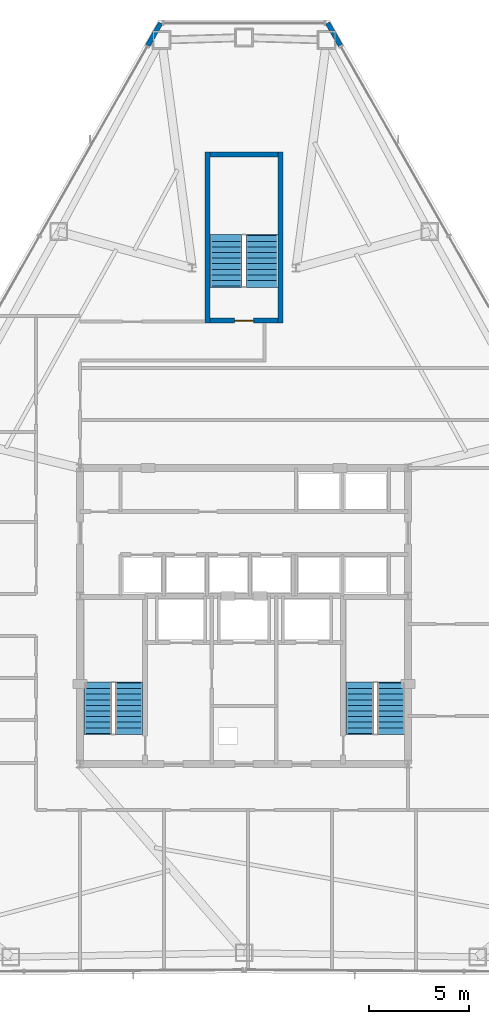
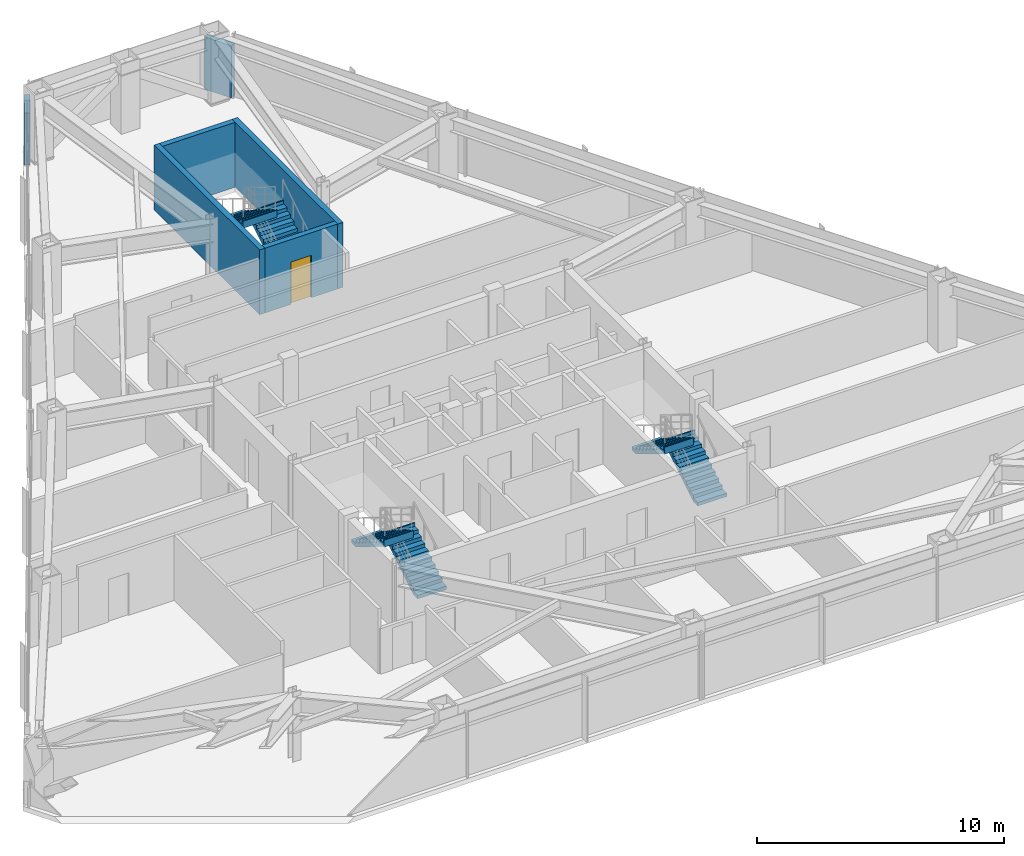
# One storey, part 12 of 13: 6 stair flights, 6 walls, 1 door, 1 opening, 3 elements without a shape of their own.
"""IFC4 building model written with IfcOpenShell, lengths in metres."""

from ifc_helpers import new_model, si_unit, direction, frame, frame_2d, origin, place, context, subcontext, project, spatial, polyline, rectangle, outline, extrude, material, layer, layer_set, type_object, element, fill, aggregate, save


model = new_model("IFC4")

# Units and contexts
model_context = context("Model", 3, precision=1e-05, world=origin(), true_north=direction((0.0, 1.0)))
body_context = subcontext(model_context, "Body", "Model", "MODEL_VIEW")
ifc_project = project(units=[si_unit("LENGTHUNIT", "METRE"), si_unit("AREAUNIT", "SQUARE_METRE"), si_unit("VOLUMEUNIT", "CUBIC_METRE"), si_unit("PLANEANGLEUNIT", "RADIAN"), si_unit("MASSUNIT", "GRAM", prefix="KILO")], contexts=[model_context])

# Site, building, storey
site_placement = place(None, origin())
site = spatial("IfcSite", under=ifc_project, at=site_placement, CompositionType="ELEMENT")
building_placement = place(site_placement, origin())
building = spatial("IfcBuilding", under=site, at=building_placement, Name="Varakhsha Concourse Tower", CompositionType="ELEMENT")
storey_placement = place(building_placement, frame((0.0, 0.0, 133.25)))
storey = spatial("IfcBuildingStorey", under=building, at=storey_placement, Name="L38", CompositionType="ELEMENT", Elevation=133.25)

# Walls
ifc_material_1 = material(Name="Concrete fc 45 MPa", Category="concrete")
ifc_layer_1 = layer(ifc_material_1, 0.239990234375, Name="WL-EXT-CRN-240")
ifc_layer_set_1 = layer_set([ifc_layer_1], Name="Concrete fc 45 MPa")
wall_type_1 = type_object("IfcWallType", Name="WL-EXT-CRN-240", PredefinedType="SHEAR", material=ifc_layer_set_1)
for number, where, z_axis, x_axis, name in (
    (1, (35.82568359375, 53.44873046875, 0.0), (0.0, 0.0, 1.0), (-0.494070823743, -0.869421658993, 0.0), "L38 Wind-Corner Shoulder Wall F2"),
    (2, (44.8154296875, 52.320556640625, 0.0), (0.0, 0.0, 1.0), (-0.494070823743, 0.869421658993, 0.0), "L38 Wind-Corner Shoulder Wall F9"),
):
    element("IfcWall", number, at=place(storey_placement, frame(where, z_axis=z_axis, x_axis=x_axis)), inside=storey, type_object=wall_type_1, Name=name, PredefinedType="SHEAR", context=body_context, shape_type="SweptSolid", body=[
        extrude(rectangle(XDim=1.297607421875, YDim=0.239990234375, at=frame_2d((0.64892578125, 0.0))), origin(), (0.0, 0.0, 1.0), 2.5830078125),
    ])
ifc_layer_2 = layer(ifc_material_1, 0.25, Name="WL-STAIR-250")
ifc_layer_set_2 = layer_set([ifc_layer_2], Name="Concrete fc 45 MPa")
wall_type_2 = type_object("IfcWallType", Name="WL-STAIR-250", PredefinedType="SHEAR", material=ifc_layer_set_2)
for number, where, z_axis, x_axis, name in (
    (3, (38.175048828125, 38.449951171875, 0.0), (0.0, 0.0, 1.0), (0.0, 1.0, 0.0), "L38 Wall SWALL-ST5-W-L38"),
    (4, (41.824951171875, 38.449951171875, 0.0), (0.0, 0.0, 1.0), (0.0, 1.0, 0.0), "L38 Wall SWALL-ST5-E-L38"),
):
    element("IfcWall", number, at=place(storey_placement, frame(where, z_axis=z_axis, x_axis=x_axis)), inside=storey, type_object=wall_type_2, Name=name, PredefinedType="SHEAR", context=body_context, shape_type="SweptSolid", body=[
        extrude(rectangle(XDim=8.550048828125, YDim=0.25, at=frame_2d((4.27490234375, 0.0))), origin(), (0.0, 0.0, 1.0), 3.2099609375),
    ])

# Wall, opening, door
wall_1_placement = place(storey_placement, frame((38.300048828125, 38.574951171875, 0.0), z_axis=(0.0, 0.0, 1.0), x_axis=(1.0, 0.0, 0.0)))
wall_1 = element("IfcWall", 5, at=wall_1_placement, inside=storey, type_object=wall_type_2, Name="L38 Wall SWALL-ST5-S-L38", PredefinedType="SHEAR", context=body_context, shape_type="SweptSolid", body=[
    extrude(rectangle(XDim=3.39990234375, YDim=0.25, at=frame_2d((1.699951171875, 0.0))), origin(), (0.0, 0.0, 1.0), 3.2099609375),
])
opening_placement = place(wall_1_placement, frame((1.22509765625, 0.0, 0.0)))
opening = element("IfcOpeningElement", 6, at=opening_placement, cuts=wall_1, Name="Opening DF-03", PredefinedType="OPENING", context=body_context, shape_type="SweptSolid", body=[
    extrude(rectangle(XDim=0.949951171875, YDim=2.10009765625, at=frame_2d((0.47509765625, 1.050048828125))), frame((0.0, 0.135009765625, 0.0), z_axis=(0.0, -1.0, 0.0), x_axis=(1.0, 0.0, 0.0)), (0.0, 0.0, 1.0), 0.27001953125),
])
ifc_material_2 = material(Name="Hollow Galvanised Steel Fire Door Assembly", Category="steel")
door_type = type_object("IfcDoorType", Name="DR-FD90-950", OperationType="NOTDEFINED", PredefinedType="DOOR", material=ifc_material_2)
door_placement = place(opening_placement, origin())
door = element("IfcDoor", 7, at=door_placement, inside=storey, type_object=door_type, Name="L38 Stair ST5 Fire Door", OperationType="SINGLE_SWING_RIGHT", OverallHeight=2.10009765625, OverallWidth=0.949951171875, PredefinedType="DOOR", context=body_context, shape_type="SweptSolid", body=[
    extrude(rectangle(XDim=0.949951171875, YDim=2.10009765625, at=frame_2d((0.47509765625, 1.050048828125))), frame((0.0, 0.02490234375, 0.0), z_axis=(0.0, -1.0, 0.0), x_axis=(1.0, 0.0, 0.0)), (0.0, 0.0, 1.0), 0.050048828125),
])
fill(opening, door)

# Wall
wall_2_placement = place(storey_placement, frame((38.300048828125, 46.875, 0.0), z_axis=(0.0, 0.0, 1.0), x_axis=(1.0, 0.0, 0.0)))
element("IfcWall", 8, at=wall_2_placement, inside=storey, type_object=wall_type_2, Name="L38 Wall SWALL-ST5-N-L38", PredefinedType="SHEAR", context=body_context, shape_type="SweptSolid", body=[
    extrude(rectangle(XDim=3.39990234375, YDim=0.25, at=frame_2d((1.699951171875, 0.0))), origin(), (0.0, 0.0, 1.0), 3.2099609375),
])

# Stair, stair flights
stair_type_1 = type_object("IfcStairType", Name="ST-DOGLEG-1360", PredefinedType="HALF_TURN_STAIR", material=ifc_material_1)
stair_1_placement = place(storey_placement, origin())
stair_1 = element("IfcStair", 9, at=stair_1_placement, inside=storey, type_object=stair_type_1, Name="L38 Protected Exit Stair ST1", PredefinedType="HALF_TURN_STAIR")
stair_flight_type_1 = type_object("IfcStairFlightType", Name="STF-1360-R1725", PredefinedType="STRAIGHT", material=ifc_material_1)
stair_flight_1_placement = place(storey_placement, frame((34.239990234375, 17.93994140625, 0.0), z_axis=(0.0, 0.0, 1.0), x_axis=(0.0, 1.0, 0.0)))
stair_flight_1 = element("IfcStairFlight", 10, at=stair_flight_1_placement, type_object=stair_flight_type_1, Name="ST1 flight 1", NumberOfRisers=10, NumberOfTreads=9, PredefinedType="STRAIGHT", RiserHeight=0.1725, TreadLength=0.28, context=body_context, shape_type="SweptSolid", body=[
    extrude(outline(polyline([(-0.06005859375, 0.0), (-0.06005859375, 0.172607421875), (0.0, 0.172607421875), (0.280029296875, 0.172607421875), (0.280029296875, 0.344970703125), (0.56005859375, 0.344970703125), (0.56005859375, 0.517578125), (0.840087890625, 0.517578125), (0.840087890625, 0.68994140625), (1.1201171875, 0.68994140625), (1.1201171875, 0.862548828125), (1.39990234375, 0.862548828125), (1.39990234375, 1.034912109375), (1.679931640625, 1.034912109375), (1.679931640625, 1.20751953125), (1.9599609375, 1.20751953125), (1.9599609375, 1.3798828125), (2.239990234375, 1.3798828125), (2.239990234375, 1.552490234375), (2.52001953125, 1.552490234375), (2.52001953125, 1.72509765625), (2.580078125, 1.72509765625), (2.580078125, 1.37646484375), (2.52001953125, 1.37646484375), (0.285888671875, 0.0), (-0.06005859375, 0.0)])), frame((0.0, 0.68017578125, 0.0), z_axis=(0.0, -1.0, 0.0), x_axis=(1.0, 0.0, 0.0)), (0.0, 0.0, 1.0), 1.360107421875),
])
stair_flight_2_placement = place(storey_placement, frame((32.679931640625, 20.4599609375, 1.72509765625), z_axis=(0.0, 0.0, 1.0), x_axis=(0.0, -1.0, 0.0)))
stair_flight_2 = element("IfcStairFlight", 11, at=stair_flight_2_placement, type_object=stair_flight_type_1, Name="ST1 flight 2", NumberOfRisers=10, NumberOfTreads=9, PredefinedType="STRAIGHT", RiserHeight=0.1725, TreadLength=0.28, context=body_context, shape_type="SweptSolid", body=[
    extrude(outline(polyline([(-0.06005859375, 0.0), (-0.06005859375, 0.172607421875), (0.0, 0.172607421875), (0.280029296875, 0.172607421875), (0.280029296875, 0.344970703125), (0.56005859375, 0.344970703125), (0.56005859375, 0.517578125), (0.840087890625, 0.517578125), (0.840087890625, 0.68994140625), (1.1201171875, 0.68994140625), (1.1201171875, 0.862548828125), (1.39990234375, 0.862548828125), (1.39990234375, 1.034912109375), (1.679931640625, 1.034912109375), (1.679931640625, 1.20751953125), (1.9599609375, 1.20751953125), (1.9599609375, 1.3798828125), (2.239990234375, 1.3798828125), (2.239990234375, 1.552490234375), (2.52001953125, 1.552490234375), (2.52001953125, 1.72509765625), (2.580078125, 1.72509765625), (2.580078125, 1.37646484375), (2.52001953125, 1.37646484375), (0.285888671875, 0.0), (-0.06005859375, 0.0)])), frame((0.0, 0.68017578125, 0.0), z_axis=(0.0, -1.0, 0.0), x_axis=(1.0, 0.0, 0.0)), (0.0, 0.0, 1.0), 1.360107421875),
])
aggregate(stair_1, [stair_flight_1, stair_flight_2])

stair_2_placement = place(storey_placement, origin())
stair_2 = element("IfcStair", 12, at=stair_2_placement, inside=storey, type_object=stair_type_1, Name="L38 Protected Exit Stair ST2", PredefinedType="HALF_TURN_STAIR")
stair_flight_3_placement = place(storey_placement, frame((47.340087890625, 17.93994140625, 0.0), z_axis=(0.0, 0.0, 1.0), x_axis=(0.0, 1.0, 0.0)))
stair_flight_3 = element("IfcStairFlight", 13, at=stair_flight_3_placement, type_object=stair_flight_type_1, Name="ST2 flight 1", NumberOfRisers=10, NumberOfTreads=9, PredefinedType="STRAIGHT", RiserHeight=0.1725, TreadLength=0.28, context=body_context, shape_type="SweptSolid", body=[
    extrude(outline(polyline([(-0.06005859375, 0.0), (-0.06005859375, 0.172607421875), (0.0, 0.172607421875), (0.280029296875, 0.172607421875), (0.280029296875, 0.344970703125), (0.56005859375, 0.344970703125), (0.56005859375, 0.517578125), (0.840087890625, 0.517578125), (0.840087890625, 0.68994140625), (1.1201171875, 0.68994140625), (1.1201171875, 0.862548828125), (1.39990234375, 0.862548828125), (1.39990234375, 1.034912109375), (1.679931640625, 1.034912109375), (1.679931640625, 1.20751953125), (1.9599609375, 1.20751953125), (1.9599609375, 1.3798828125), (2.239990234375, 1.3798828125), (2.239990234375, 1.552490234375), (2.52001953125, 1.552490234375), (2.52001953125, 1.72509765625), (2.580078125, 1.72509765625), (2.580078125, 1.37646484375), (2.52001953125, 1.37646484375), (0.285888671875, 0.0), (-0.06005859375, 0.0)])), frame((0.0, 0.68017578125, 0.0), z_axis=(0.0, -1.0, 0.0), x_axis=(1.0, 0.0, 0.0)), (0.0, 0.0, 1.0), 1.360107421875),
])
stair_flight_4_placement = place(storey_placement, frame((45.780029296875, 20.4599609375, 1.72509765625), z_axis=(0.0, 0.0, 1.0), x_axis=(0.0, -1.0, 0.0)))
stair_flight_4 = element("IfcStairFlight", 14, at=stair_flight_4_placement, type_object=stair_flight_type_1, Name="ST2 flight 2", NumberOfRisers=10, NumberOfTreads=9, PredefinedType="STRAIGHT", RiserHeight=0.1725, TreadLength=0.28, context=body_context, shape_type="SweptSolid", body=[
    extrude(outline(polyline([(-0.06005859375, 0.0), (-0.06005859375, 0.172607421875), (0.0, 0.172607421875), (0.280029296875, 0.172607421875), (0.280029296875, 0.344970703125), (0.56005859375, 0.344970703125), (0.56005859375, 0.517578125), (0.840087890625, 0.517578125), (0.840087890625, 0.68994140625), (1.1201171875, 0.68994140625), (1.1201171875, 0.862548828125), (1.39990234375, 0.862548828125), (1.39990234375, 1.034912109375), (1.679931640625, 1.034912109375), (1.679931640625, 1.20751953125), (1.9599609375, 1.20751953125), (1.9599609375, 1.3798828125), (2.239990234375, 1.3798828125), (2.239990234375, 1.552490234375), (2.52001953125, 1.552490234375), (2.52001953125, 1.72509765625), (2.580078125, 1.72509765625), (2.580078125, 1.37646484375), (2.52001953125, 1.37646484375), (0.285888671875, 0.0), (-0.06005859375, 0.0)])), frame((0.0, 0.68017578125, 0.0), z_axis=(0.0, -1.0, 0.0), x_axis=(1.0, 0.0, 0.0)), (0.0, 0.0, 1.0), 1.360107421875),
])
aggregate(stair_2, [stair_flight_3, stair_flight_4])

stair_type_2 = type_object("IfcStairType", Name="ST-DOGLEG-1600", PredefinedType="HALF_TURN_STAIR", material=ifc_material_1)
stair_3_placement = place(storey_placement, origin())
stair_3 = element("IfcStair", 15, at=stair_3_placement, inside=storey, type_object=stair_type_2, Name="L38 Protected Exit Stair ST5", PredefinedType="HALF_TURN_STAIR")
stair_flight_type_2 = type_object("IfcStairFlightType", Name="STF-1600-R1725", PredefinedType="STRAIGHT", material=ifc_material_1)
stair_flight_5_placement = place(storey_placement, frame((40.89990234375, 40.300048828125, 0.0), z_axis=(0.0, 0.0, 1.0), x_axis=(0.0, 1.0, 0.0)))
stair_flight_5 = element("IfcStairFlight", 16, at=stair_flight_5_placement, type_object=stair_flight_type_2, Name="ST5 flight 1", NumberOfRisers=10, NumberOfTreads=9, PredefinedType="STRAIGHT", RiserHeight=0.1725, TreadLength=0.28, context=body_context, shape_type="SweptSolid", body=[
    extrude(outline(polyline([(-0.06005859375, 0.0), (-0.06005859375, 0.172607421875), (0.0, 0.172607421875), (0.280029296875, 0.172607421875), (0.280029296875, 0.344970703125), (0.56005859375, 0.344970703125), (0.56005859375, 0.517578125), (0.840087890625, 0.517578125), (0.840087890625, 0.68994140625), (1.1201171875, 0.68994140625), (1.1201171875, 0.862548828125), (1.39990234375, 0.862548828125), (1.39990234375, 1.034912109375), (1.679931640625, 1.034912109375), (1.679931640625, 1.20751953125), (1.9599609375, 1.20751953125), (1.9599609375, 1.3798828125), (2.239990234375, 1.3798828125), (2.239990234375, 1.552490234375), (2.52001953125, 1.552490234375), (2.52001953125, 1.72509765625), (2.580078125, 1.72509765625), (2.580078125, 1.37646484375), (2.52001953125, 1.37646484375), (0.285888671875, 0.0), (-0.06005859375, 0.0)])), frame((0.0, 0.800048828125, 0.0), z_axis=(0.0, -1.0, 0.0), x_axis=(1.0, 0.0, 0.0)), (0.0, 0.0, 1.0), 1.60009765625),
])
stair_flight_6_placement = place(storey_placement, frame((39.10009765625, 42.820068359375, 1.72509765625), z_axis=(0.0, 0.0, 1.0), x_axis=(0.0, -1.0, 0.0)))
stair_flight_6 = element("IfcStairFlight", 17, at=stair_flight_6_placement, type_object=stair_flight_type_2, Name="ST5 flight 2", NumberOfRisers=10, NumberOfTreads=9, PredefinedType="STRAIGHT", RiserHeight=0.1725, TreadLength=0.28, context=body_context, shape_type="SweptSolid", body=[
    extrude(outline(polyline([(-0.06005859375, 0.0), (-0.06005859375, 0.172607421875), (0.0, 0.172607421875), (0.280029296875, 0.172607421875), (0.280029296875, 0.344970703125), (0.56005859375, 0.344970703125), (0.56005859375, 0.517578125), (0.840087890625, 0.517578125), (0.840087890625, 0.68994140625), (1.1201171875, 0.68994140625), (1.1201171875, 0.862548828125), (1.39990234375, 0.862548828125), (1.39990234375, 1.034912109375), (1.679931640625, 1.034912109375), (1.679931640625, 1.20751953125), (1.9599609375, 1.20751953125), (1.9599609375, 1.3798828125), (2.239990234375, 1.3798828125), (2.239990234375, 1.552490234375), (2.52001953125, 1.552490234375), (2.52001953125, 1.72509765625), (2.580078125, 1.72509765625), (2.580078125, 1.37646484375), (2.52001953125, 1.37646484375), (0.285888671875, 0.0), (-0.06005859375, 0.0)])), frame((0.0, 0.800048828125, 0.0), z_axis=(0.0, -1.0, 0.0), x_axis=(1.0, 0.0, 0.0)), (0.0, 0.0, 1.0), 1.60009765625),
])
aggregate(stair_3, [stair_flight_5, stair_flight_6])

save(model, "model.ifc")
